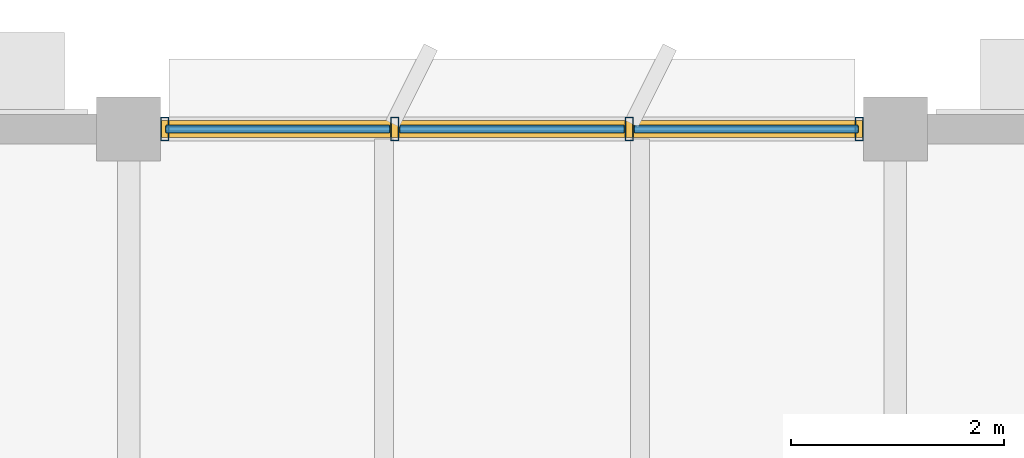
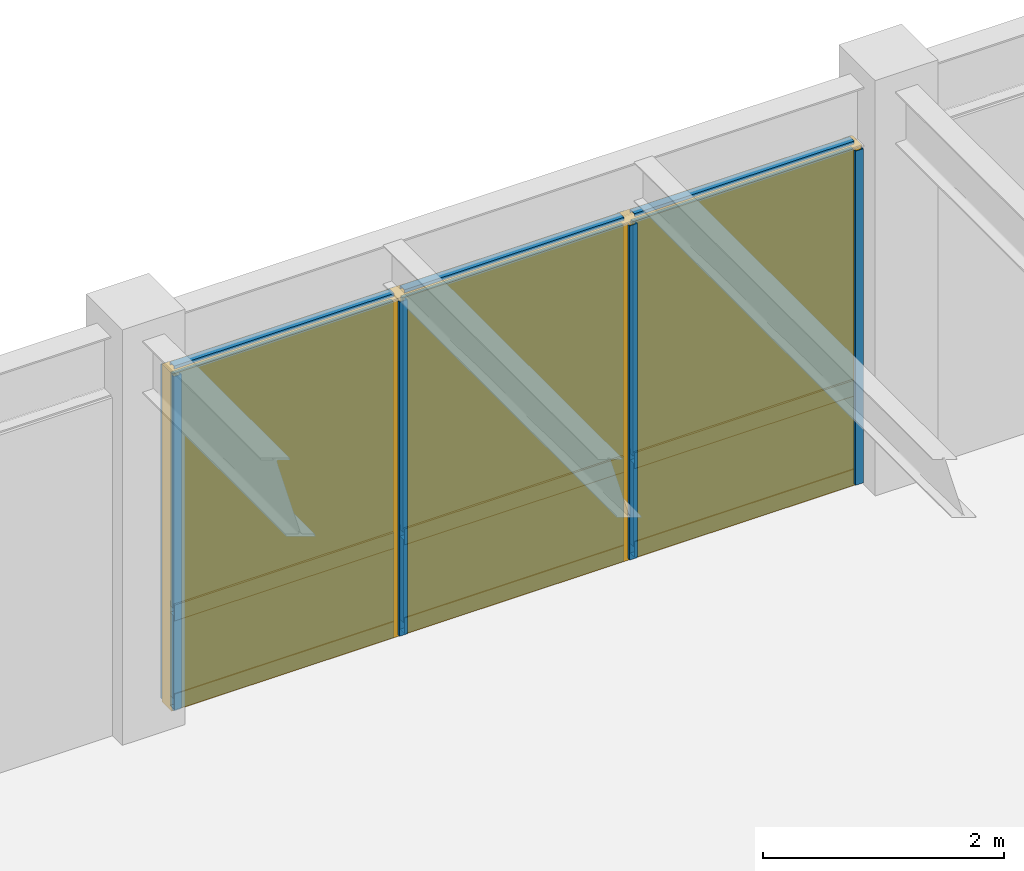
# One storey, part 57 of 85: 13 members, 6 plates, 1 curtain wall.
"""IFC4 building model written with IfcOpenShell, lengths in metres."""

from ifc_helpers import new_model, si_unit, direction, frame, origin, origin_2d, place, context, subcontext, project, spatial, rectangle, hollow_rectangle, extrude, material, layer, layer_set, material_profile, profile_set, type_object, element, aggregate, save


model = new_model("IFC4")

# Units and contexts
model_context = context("Model", 3, precision=1e-05, world=origin(), true_north=direction((0.0, 1.0)))
body_context = subcontext(model_context, "Body", "Model", "MODEL_VIEW")
ifc_project = project(units=[si_unit("LENGTHUNIT", "METRE"), si_unit("AREAUNIT", "SQUARE_METRE"), si_unit("VOLUMEUNIT", "CUBIC_METRE"), si_unit("PLANEANGLEUNIT", "RADIAN"), si_unit("MASSUNIT", "GRAM", prefix="KILO")], contexts=[model_context])

# Member
ifc_material_1 = material(Name="Anodized Aluminium 6063-T6", Category="aluminium")
ifc_material_profile_1 = material_profile(ifc_material_1, hollow_rectangle(XDim=0.074951171875, YDim=0.219970703125, WallThickness=0.0048828125, at=origin_2d()), Name="ALU 75x220x5")
ifc_profile_set_1 = profile_set([ifc_material_profile_1], Name="Anodized Aluminium 6063-T6")
member_type_1 = type_object("IfcMemberType", Name="CWM-75X180", PredefinedType="MULLION", material=ifc_profile_set_1)
site_placement = place(None, origin())
building_placement = place(site_placement, origin())
storey_placement = place(building_placement, frame((0.0, 0.0, 9.89990234375)))
member_1_placement = place(storey_placement, frame((65.139892578125, 115.199951171875, 0.02001953125), z_axis=(0.0, 0.0, 1.0), x_axis=(1.0, 0.0, 0.0)))
member_1 = element("IfcMember", 1, at=member_1_placement, type_object=member_type_1, Name="Curtain wall mullion CW-L03-09-15-N-00", PredefinedType="MULLION", context=body_context, shape_type="SweptSolid", body=[
    extrude(hollow_rectangle(XDim=0.074951171875, YDim=0.219970703125, WallThickness=0.0048828125, at=origin_2d()), origin(), (0.0, 0.0, 1.0), 3.378173828125),
])

member_2_placement = place(storey_placement, frame((67.300048828125, 115.199951171875, 0.02001953125), z_axis=(0.0, 0.0, 1.0), x_axis=(1.0, 0.0, 0.0)))
member_2 = element("IfcMember", 2, at=member_2_placement, type_object=member_type_1, Name="Curtain wall mullion CW-L03-09-15-N-01", PredefinedType="MULLION", context=body_context, shape_type="SweptSolid", body=[
    extrude(hollow_rectangle(XDim=0.074951171875, YDim=0.219970703125, WallThickness=0.0048828125, at=origin_2d()), origin(), (0.0, 0.0, 1.0), 3.378173828125),
])

member_3_placement = place(storey_placement, frame((69.5, 115.199951171875, 0.02001953125), z_axis=(0.0, 0.0, 1.0), x_axis=(1.0, 0.0, 0.0)))
member_3 = element("IfcMember", 3, at=member_3_placement, type_object=member_type_1, Name="Curtain wall mullion CW-L03-09-15-N-02", PredefinedType="MULLION", context=body_context, shape_type="SweptSolid", body=[
    extrude(hollow_rectangle(XDim=0.074951171875, YDim=0.219970703125, WallThickness=0.0048828125, at=origin_2d()), origin(), (0.0, 0.0, 1.0), 3.378173828125),
])

member_4_placement = place(storey_placement, frame((71.659912109375, 115.199951171875, 0.02001953125), z_axis=(0.0, 0.0, 1.0), x_axis=(1.0, 0.0, 0.0)))
member_4 = element("IfcMember", 4, at=member_4_placement, type_object=member_type_1, Name="Curtain wall mullion CW-L03-09-15-N-03", PredefinedType="MULLION", context=body_context, shape_type="SweptSolid", body=[
    extrude(hollow_rectangle(XDim=0.074951171875, YDim=0.219970703125, WallThickness=0.0048828125, at=origin_2d()), origin(), (0.0, 0.0, 1.0), 3.378173828125),
])

ifc_material_profile_2 = material_profile(ifc_material_1, hollow_rectangle(XDim=0.074951171875, YDim=0.159912109375, WallThickness=0.00390625, at=origin_2d()), Name="ALU 75x160x4")
ifc_profile_set_2 = profile_set([ifc_material_profile_2], Name="Anodized Aluminium 6063-T6")
member_type_2 = type_object("IfcMemberType", Name="CWT-75X150", PredefinedType="USERDEFINED", material=ifc_profile_set_2)
member_5_placement = place(storey_placement, frame((65.14990234375, 115.199951171875, 0.050048828125), z_axis=(1.0, 0.0, 0.0), x_axis=(0.0, 1.0, 0.0)))
member_5 = element("IfcMember", 5, at=member_5_placement, type_object=member_type_2, Name="Curtain wall transom CW-L03-09-15-N-1.01", ObjectType="TRANSOM", PredefinedType="USERDEFINED", context=body_context, shape_type="SweptSolid", body=[
    extrude(hollow_rectangle(XDim=0.074951171875, YDim=0.159912109375, WallThickness=0.00390625, at=origin_2d()), origin(), (0.0, 0.0, 1.0), 2.10009765625),
])

member_6_placement = place(storey_placement, frame((67.35009765625, 115.199951171875, 0.050048828125), z_axis=(1.0, 0.0, 0.0), x_axis=(0.0, 1.0, 0.0)))
member_6 = element("IfcMember", 6, at=member_6_placement, type_object=member_type_2, Name="Curtain wall transom CW-L03-09-15-N-1.02", ObjectType="TRANSOM", PredefinedType="USERDEFINED", context=body_context, shape_type="SweptSolid", body=[
    extrude(hollow_rectangle(XDim=0.074951171875, YDim=0.159912109375, WallThickness=0.00390625, at=origin_2d()), origin(), (0.0, 0.0, 1.0), 2.099853515625),
])

member_7_placement = place(storey_placement, frame((69.550048828125, 115.199951171875, 0.050048828125), z_axis=(1.0, 0.0, 0.0), x_axis=(0.0, 1.0, 0.0)))
member_7 = element("IfcMember", 7, at=member_7_placement, type_object=member_type_2, Name="Curtain wall transom CW-L03-09-15-N-1.03", ObjectType="TRANSOM", PredefinedType="USERDEFINED", context=body_context, shape_type="SweptSolid", body=[
    extrude(hollow_rectangle(XDim=0.074951171875, YDim=0.159912109375, WallThickness=0.00390625, at=origin_2d()), origin(), (0.0, 0.0, 1.0), 2.099853515625),
])

member_8_placement = place(storey_placement, frame((65.14990234375, 115.199951171875, 0.9501953125), z_axis=(1.0, 0.0, 0.0), x_axis=(0.0, 1.0, 0.0)))
member_8 = element("IfcMember", 8, at=member_8_placement, type_object=member_type_2, Name="Curtain wall transom CW-L03-09-15-N-2.01", ObjectType="TRANSOM", PredefinedType="USERDEFINED", context=body_context, shape_type="SweptSolid", body=[
    extrude(hollow_rectangle(XDim=0.074951171875, YDim=0.159912109375, WallThickness=0.00390625, at=origin_2d()), origin(), (0.0, 0.0, 1.0), 2.10009765625),
])

member_9_placement = place(storey_placement, frame((67.35009765625, 115.199951171875, 0.9501953125), z_axis=(1.0, 0.0, 0.0), x_axis=(0.0, 1.0, 0.0)))
member_9 = element("IfcMember", 9, at=member_9_placement, type_object=member_type_2, Name="Curtain wall transom CW-L03-09-15-N-2.02", ObjectType="TRANSOM", PredefinedType="USERDEFINED", context=body_context, shape_type="SweptSolid", body=[
    extrude(hollow_rectangle(XDim=0.074951171875, YDim=0.159912109375, WallThickness=0.00390625, at=origin_2d()), origin(), (0.0, 0.0, 1.0), 2.099853515625),
])

member_10_placement = place(storey_placement, frame((69.550048828125, 115.199951171875, 0.9501953125), z_axis=(1.0, 0.0, 0.0), x_axis=(0.0, 1.0, 0.0)))
member_10 = element("IfcMember", 10, at=member_10_placement, type_object=member_type_2, Name="Curtain wall transom CW-L03-09-15-N-2.03", ObjectType="TRANSOM", PredefinedType="USERDEFINED", context=body_context, shape_type="SweptSolid", body=[
    extrude(hollow_rectangle(XDim=0.074951171875, YDim=0.159912109375, WallThickness=0.00390625, at=origin_2d()), origin(), (0.0, 0.0, 1.0), 2.099853515625),
])

member_11_placement = place(storey_placement, frame((65.14990234375, 115.199951171875, 3.3681640625), z_axis=(1.0, 0.0, 0.0), x_axis=(0.0, 1.0, 0.0)))
member_11 = element("IfcMember", 11, at=member_11_placement, type_object=member_type_2, Name="Curtain wall transom CW-L03-09-15-N-3.01", ObjectType="TRANSOM", PredefinedType="USERDEFINED", context=body_context, shape_type="SweptSolid", body=[
    extrude(hollow_rectangle(XDim=0.074951171875, YDim=0.159912109375, WallThickness=0.00390625, at=origin_2d()), origin(), (0.0, 0.0, 1.0), 2.10009765625),
])

member_12_placement = place(storey_placement, frame((67.35009765625, 115.199951171875, 3.3681640625), z_axis=(1.0, 0.0, 0.0), x_axis=(0.0, 1.0, 0.0)))
member_12 = element("IfcMember", 12, at=member_12_placement, type_object=member_type_2, Name="Curtain wall transom CW-L03-09-15-N-3.02", ObjectType="TRANSOM", PredefinedType="USERDEFINED", context=body_context, shape_type="SweptSolid", body=[
    extrude(hollow_rectangle(XDim=0.074951171875, YDim=0.159912109375, WallThickness=0.00390625, at=origin_2d()), origin(), (0.0, 0.0, 1.0), 2.099853515625),
])

member_13_placement = place(storey_placement, frame((69.550048828125, 115.199951171875, 3.3681640625), z_axis=(1.0, 0.0, 0.0), x_axis=(0.0, 1.0, 0.0)))
member_13 = element("IfcMember", 13, at=member_13_placement, type_object=member_type_2, Name="Curtain wall transom CW-L03-09-15-N-3.03", ObjectType="TRANSOM", PredefinedType="USERDEFINED", context=body_context, shape_type="SweptSolid", body=[
    extrude(hollow_rectangle(XDim=0.074951171875, YDim=0.159912109375, WallThickness=0.00390625, at=origin_2d()), origin(), (0.0, 0.0, 1.0), 2.099853515625),
])

# Plate
ifc_material_2 = material(Name="Acoustic Laminated Low-E Glazing", Category="glass")
ifc_layer_1 = layer(ifc_material_2, 0.0439453125)
ifc_layer_set_1 = layer_set([ifc_layer_1], Name="Acoustic Laminated Low-E Glazing")
plate_type_1 = type_object("IfcPlateType", Name="CWP-IGU-44", PredefinedType="CURTAIN_PANEL", material=ifc_layer_set_1)
plate_1_placement = place(storey_placement, frame((66.199951171875, 115.199951171875, 0.990234375), z_axis=(0.0, 0.0, 1.0), x_axis=(1.0, 0.0, 0.0)))
plate_1 = element("IfcPlate", 14, at=plate_1_placement, type_object=plate_type_1, Name="Curtain wall vision glazing CW-L03-09-15-N-01", PredefinedType="CURTAIN_PANEL", context=body_context, shape_type="SweptSolid", body=[
    extrude(rectangle(XDim=2.110107421875, YDim=0.0400390625, at=origin_2d()), origin(), (0.0, 0.0, 1.0), 2.367919921875),
])

plate_2_placement = place(storey_placement, frame((68.39990234375, 115.199951171875, 0.990234375), z_axis=(0.0, 0.0, 1.0), x_axis=(1.0, 0.0, 0.0)))
plate_2 = element("IfcPlate", 15, at=plate_2_placement, type_object=plate_type_1, Name="Curtain wall vision glazing CW-L03-09-15-N-02", PredefinedType="CURTAIN_PANEL", context=body_context, shape_type="SweptSolid", body=[
    extrude(rectangle(XDim=2.110107421875, YDim=0.0400390625, at=origin_2d()), origin(), (0.0, 0.0, 1.0), 2.367919921875),
])

plate_3_placement = place(storey_placement, frame((70.60009765625, 115.199951171875, 0.990234375), z_axis=(0.0, 0.0, 1.0), x_axis=(1.0, 0.0, 0.0)))
plate_3 = element("IfcPlate", 16, at=plate_3_placement, type_object=plate_type_1, Name="Curtain wall vision glazing CW-L03-09-15-N-03", PredefinedType="CURTAIN_PANEL", context=body_context, shape_type="SweptSolid", body=[
    extrude(rectangle(XDim=2.110107421875, YDim=0.0400390625, at=origin_2d()), origin(), (0.0, 0.0, 1.0), 2.367919921875),
])

ifc_material_3 = material(Name="Insulated Stone-Composite Spandrel", Category="masonry")
ifc_layer_2 = layer(ifc_material_3, 0.068115234375)
ifc_layer_set_2 = layer_set([ifc_layer_2], Name="Insulated Stone-Composite Spandrel")
plate_type_2 = type_object("IfcPlateType", Name="CWP-SPN-68", PredefinedType="CURTAIN_PANEL", material=ifc_layer_set_2)
plate_4_placement = place(storey_placement, frame((66.199951171875, 115.199951171875, 0.080078125), z_axis=(0.0, 0.0, 1.0), x_axis=(1.0, 0.0, 0.0)))
plate_4 = element("IfcPlate", 17, at=plate_4_placement, type_object=plate_type_2, Name="Curtain wall spandrel panel CW-L03-09-15-N-01", PredefinedType="CURTAIN_PANEL", context=body_context, shape_type="SweptSolid", body=[
    extrude(rectangle(XDim=2.110107421875, YDim=0.06005859375, at=origin_2d()), origin(), (0.0, 0.0, 1.0), 0.840087890625),
])

plate_5_placement = place(storey_placement, frame((68.39990234375, 115.199951171875, 0.080078125), z_axis=(0.0, 0.0, 1.0), x_axis=(1.0, 0.0, 0.0)))
plate_5 = element("IfcPlate", 18, at=plate_5_placement, type_object=plate_type_2, Name="Curtain wall spandrel panel CW-L03-09-15-N-02", PredefinedType="CURTAIN_PANEL", context=body_context, shape_type="SweptSolid", body=[
    extrude(rectangle(XDim=2.110107421875, YDim=0.06005859375, at=origin_2d()), origin(), (0.0, 0.0, 1.0), 0.840087890625),
])

plate_6_placement = place(storey_placement, frame((70.60009765625, 115.199951171875, 0.080078125), z_axis=(0.0, 0.0, 1.0), x_axis=(1.0, 0.0, 0.0)))
plate_6 = element("IfcPlate", 19, at=plate_6_placement, type_object=plate_type_2, Name="Curtain wall spandrel panel CW-L03-09-15-N-03", PredefinedType="CURTAIN_PANEL", context=body_context, shape_type="SweptSolid", body=[
    extrude(rectangle(XDim=2.110107421875, YDim=0.06005859375, at=origin_2d()), origin(), (0.0, 0.0, 1.0), 0.840087890625),
])

# Site, building, storey
site = spatial("IfcSite", under=ifc_project, at=site_placement, CompositionType="ELEMENT")
building = spatial("IfcBuilding", under=site, at=building_placement, Name="Sillqori Civic Hall", CompositionType="ELEMENT")
storey = spatial("IfcBuildingStorey", under=building, at=storey_placement, Name="L03", CompositionType="ELEMENT", Elevation=9.89990234375)

# Curtain wall
ifc_material_4 = material(Name="Anodized Aluminium Curtain Wall System", Category="aluminium")
curtain_wall_type = type_object("IfcCurtainWallType", Name="CW-GL-400", PredefinedType="NOTDEFINED", material=ifc_material_4)
curtain_wall_placement = place(storey_placement, frame((68.39990234375, 115.199951171875, 0.0), z_axis=(0.0, 0.0, 1.0), x_axis=(1.0, 0.0, 0.0)))
curtain_wall = element("IfcCurtainWall", 20, at=curtain_wall_placement, inside=storey, type_object=curtain_wall_type, Name="L03 unitised curtain wall CW-L03-09-15-N", PredefinedType="NOTDEFINED", context=body_context, shape_type="SweptSolid", body=[
    extrude(rectangle(XDim=6.60009765625, YDim=0.159912109375, at=origin_2d()), origin(), (0.0, 0.0, 1.0), 3.41796875),
])

aggregate(curtain_wall, [member_1, member_2, member_3, member_4, member_5, member_6, member_7, member_8, member_9, member_10, member_11, member_12, member_13, plate_4, plate_1, plate_5, plate_2, plate_6, plate_3])

save(model, "model.ifc")
